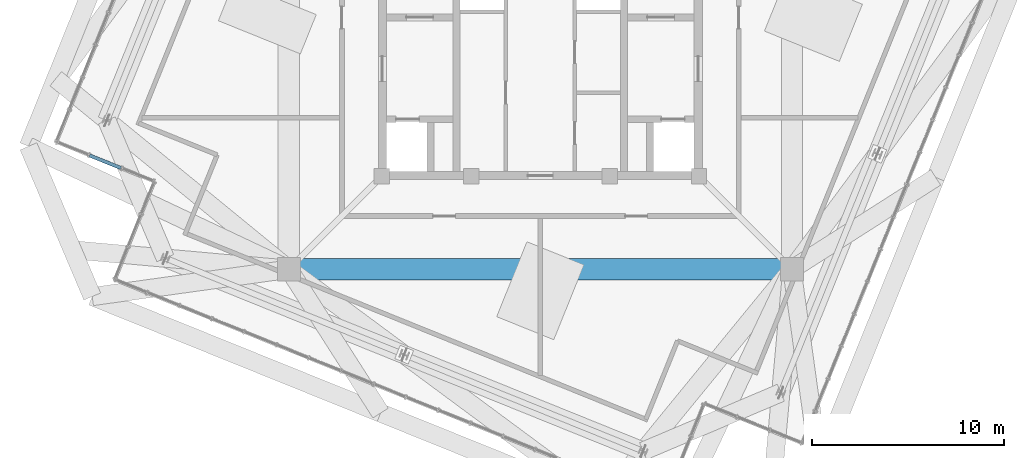
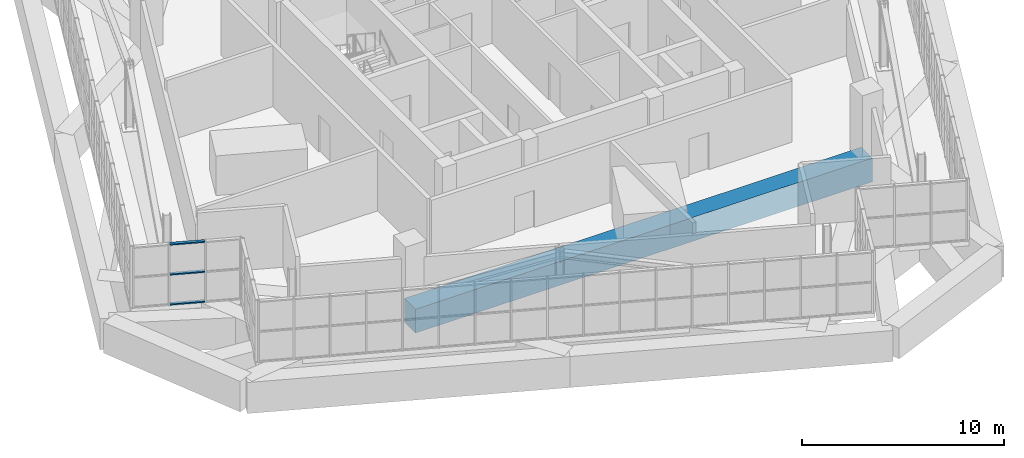
# One storey, part 8 of 35: 3 members, 1 beam, 1 element without a shape of its own.
"""IFC4 building model written with IfcOpenShell, lengths in metres."""

from ifc_helpers import new_model, si_unit, direction, frame, origin, origin_2d, place, context, subcontext, project, spatial, rectangle, hollow_rectangle, extrude, source, transform, mapped, material, layer, layer_set, material_profile, profile_set, type_object, element, aggregate, save


model = new_model("IFC4")

# Units and contexts
model_context = context("Model", 3, precision=1e-05, world=origin(), true_north=direction((0.0, 1.0)))
body_context = subcontext(model_context, "Body", "Model", "MODEL_VIEW")
ifc_project = project(units=[si_unit("LENGTHUNIT", "METRE"), si_unit("AREAUNIT", "SQUARE_METRE"), si_unit("VOLUMEUNIT", "CUBIC_METRE"), si_unit("PLANEANGLEUNIT", "RADIAN"), si_unit("MASSUNIT", "GRAM", prefix="KILO"), si_unit("THERMODYNAMICTEMPERATUREUNIT", "KELVIN")], contexts=[model_context])

# Site, building, storey
site_placement = place(None, origin())
site = spatial("IfcSite", under=ifc_project, at=site_placement, CompositionType="ELEMENT")
building_placement = place(site_placement, origin())
building = spatial("IfcBuilding", under=site, at=building_placement, Name="Kosmvard Interchange Tower", CompositionType="ELEMENT")
storey_placement = place(building_placement, frame((0.0, 0.0, 321.60009765625)))
storey = spatial("IfcBuildingStorey", under=building, at=storey_placement, Name="L79", CompositionType="ELEMENT", Elevation=321.60009765625)

# Beam
ifc_material_1 = material(Name="Concrete C70/85", Category="concrete")
ifc_material_profile_1 = material_profile(ifc_material_1, rectangle(XDim=1.10009765625, YDim=1.43994140625, at=origin_2d()), Name="TG 1100x1440")
ifc_profile_set_1 = profile_set([ifc_material_profile_1], Name="Concrete C70/85")
beam_type = type_object("IfcBeamType", Name="Mega-Frame Transfer Ring Girder 1100x1440 C70/85", PredefinedType="USERDEFINED", material=ifc_profile_set_1)
shared_shape_1 = source(origin(), body_context, "Body", "SweptSolid", [
    extrude(rectangle(XDim=1.10009765625, YDim=1.43994140625, at=origin_2d()), origin(), (0.0, 0.0, 1.0), 26.162109375),
])
beam_placement = place(storey_placement, frame((-13.0810546875, -13.0810546875, -0.72021484375), z_axis=(1.0, 0.0, 0.0), x_axis=(0.0, 1.0, 0.0)))
element("IfcBeam", 1, at=beam_placement, inside=storey, type_object=beam_type, Name="L79 Mega-Column Ring Girder 1", ObjectType="TRANSFER_GIRDER", PredefinedType="USERDEFINED", context=body_context, shape_type="MappedRepresentation", body=[
    mapped(shared_shape_1, transform((0.0, 0.0, 0.0), scale=1.0)),
])

# Curtain wall, members
ifc_material_2 = material(Name="Architectural anodised aluminium", Category="aluminium")
ifc_layer = layer(ifc_material_2, 0.25, Name="Architectural anodised aluminium")
ifc_layer_set = layer_set([ifc_layer], Name="Architectural anodised aluminium")
curtain_wall_type = type_object("IfcCurtainWallType", Name="CW-6 Illuminated Crown Lantern Curtain Wall", PredefinedType="NOTDEFINED", material=ifc_layer_set)
curtain_wall_placement = place(storey_placement, origin())
curtain_wall = element("IfcCurtainWall", 2, at=curtain_wall_placement, inside=storey, type_object=curtain_wall_type, Name="L79 Crown Lantern Glazing Face 08", PredefinedType="NOTDEFINED")
ifc_material_profile_2 = material_profile(ifc_material_2, hollow_rectangle(XDim=0.179931640625, YDim=0.070068359375, WallThickness=0.0048828125, at=origin_2d()), Name="CWT 180x70x5")
ifc_profile_set_2 = profile_set([ifc_material_profile_2], Name="Architectural anodised aluminium")
member_type = type_object("IfcMemberType", Name="Heavy Lantern CW Transom 180x70 Aluminium", PredefinedType="USERDEFINED", material=ifc_profile_set_2)
shared_shape_2 = source(origin(), body_context, "Body", "SweptSolid", [
    extrude(hollow_rectangle(XDim=0.179931640625, YDim=0.070068359375, WallThickness=0.0048828125, at=origin_2d()), origin(), (0.0, 0.0, 1.0), 1.75341796875),
])
member_1_placement = place(storey_placement, frame((-23.436279296875, -7.162109375, 0.034912109375), z_axis=(0.927155350429, -0.374677135907, 0.0), x_axis=(0.374677135907, 0.927155350429, 0.0)))
member_1 = element("IfcMember", 3, at=member_1_placement, type_object=member_type, Name="CW-6 transom 2.1", ObjectType="TRANSOM", PredefinedType="USERDEFINED", context=body_context, shape_type="MappedRepresentation", body=[
    mapped(shared_shape_2, transform((0.0, 0.0, 0.0), scale=1.0)),
])
member_2_placement = place(storey_placement, frame((-23.436279296875, -7.162109375, 1.849853515625), z_axis=(0.927155350429, -0.374677135907, 0.0), x_axis=(0.374677135907, 0.927155350429, 0.0)))
member_2 = element("IfcMember", 4, at=member_2_placement, type_object=member_type, Name="CW-6 transom 2.2", ObjectType="TRANSOM", PredefinedType="USERDEFINED", context=body_context, shape_type="MappedRepresentation", body=[
    mapped(shared_shape_2, transform((0.0, 0.0, 0.0), scale=1.0)),
])
member_3_placement = place(storey_placement, frame((-23.436279296875, -7.162109375, 3.664794921875), z_axis=(0.927155350429, -0.374677135907, 0.0), x_axis=(0.374677135907, 0.927155350429, 0.0)))
member_3 = element("IfcMember", 5, at=member_3_placement, type_object=member_type, Name="CW-6 transom 2.3", ObjectType="TRANSOM", PredefinedType="USERDEFINED", context=body_context, shape_type="MappedRepresentation", body=[
    mapped(shared_shape_2, transform((0.0, 0.0, 0.0), scale=1.0)),
])
aggregate(curtain_wall, [member_1, member_2, member_3])

save(model, "model.ifc")
